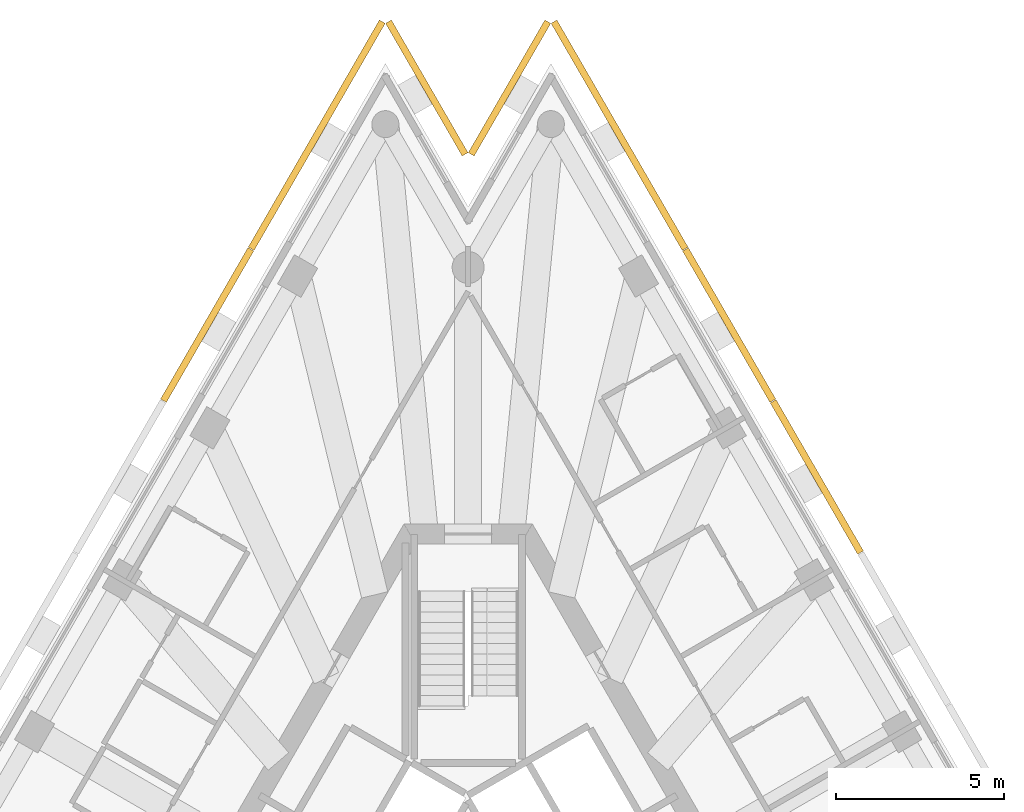
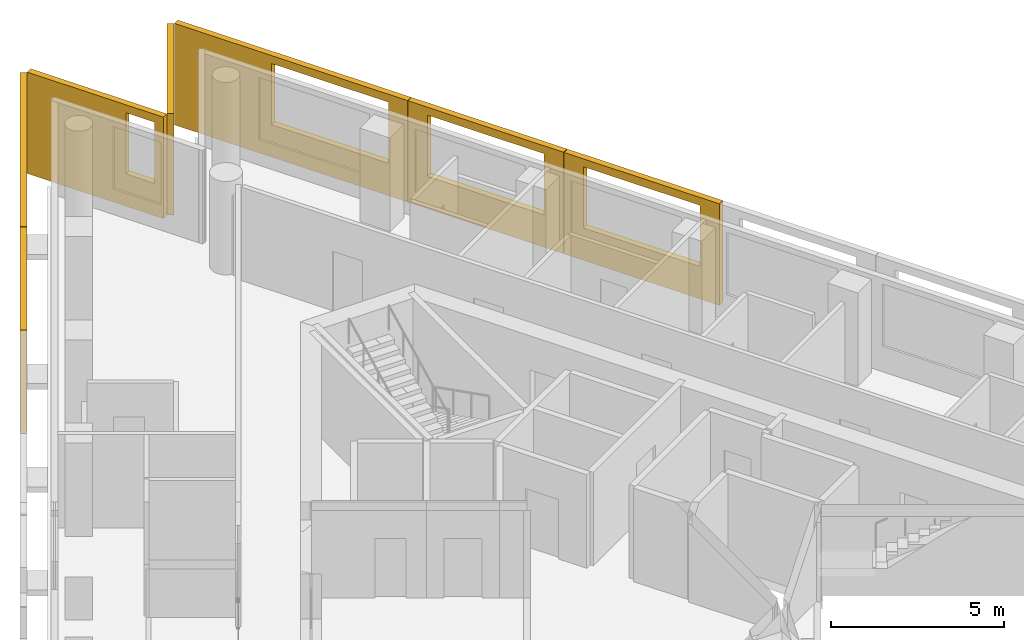
# One storey, part 10 of 10: 7 shading devices.
"""IFC4 building model written with IfcOpenShell, lengths in metres."""

from ifc_helpers import new_model, si_unit, direction, frame, origin, place, context, subcontext, project, spatial, polyline, outline, extrude, material, layer, layer_set, type_object, element, save


model = new_model("IFC4")

# Units and contexts
model_context = context("Model", 3, precision=1e-05, world=origin(), true_north=direction((0.0, 1.0)))
body_context = subcontext(model_context, "Body", "Model", "MODEL_VIEW")
ifc_project = project(units=[si_unit("LENGTHUNIT", "METRE"), si_unit("AREAUNIT", "SQUARE_METRE"), si_unit("VOLUMEUNIT", "CUBIC_METRE"), si_unit("PLANEANGLEUNIT", "RADIAN"), si_unit("MASSUNIT", "GRAM", prefix="KILO")], contexts=[model_context])

# Site, building, storey
site_placement = place(None, origin())
site = spatial("IfcSite", under=ifc_project, at=site_placement, CompositionType="ELEMENT")
building_placement = place(site_placement, origin())
building = spatial("IfcBuilding", under=site, at=building_placement, Name="Triada Interchange Tower", CompositionType="ELEMENT")
storey_placement = place(building_placement, frame((0.0, 0.0, 311.5)))
storey = spatial("IfcBuildingStorey", under=building, at=storey_placement, Name="L74", CompositionType="ELEMENT", Elevation=311.5)

# Shading devices
ifc_material = material(Name="Concrete C50/60 precast", Category="concrete")
ifc_layer_1 = layer(ifc_material, 0.02001953125, Name="Exposed aggregate face")
ifc_layer_2 = layer(ifc_material, 0.179931640625, Name="Precast concrete screen")
ifc_layer_set = layer_set([ifc_layer_1, ifc_layer_2], Name="Outer skin screen panel 3580")
shading_device_type = type_object("IfcShadingDeviceType", Name="Outer skin screen panel 3580", PredefinedType="SHUTTER", material=ifc_layer_set)
shading_device_1_placement = place(storey_placement, frame((-2.4619140625, 28.4609375, -0.2900390625), z_axis=(0.0, 0.0, 1.0), x_axis=(-0.500058146775, -0.865991830126, 0.0)))
element("IfcShadingDevice", 1, at=shading_device_1_placement, inside=storey, type_object=shading_device_type, Name="Outer skin screen panel L74 01", PredefinedType="SHUTTER", context=body_context, shape_type="SweptSolid", body=[
    extrude(outline(polyline([(0.0, 0.0), (7.78515625, 0.0), (7.78515625, 3.580078125), (0.0, 3.580078125), (0.0, 0.0)]), holes=[polyline([(3.24169921875, 1.139892578125), (3.24169921875, 3.300048828125), (7.1416015625, 3.300048828125), (7.1416015625, 1.139892578125), (3.24169921875, 1.139892578125)])]), frame((0.0, 0.0, 0.0), z_axis=(0.0, -1.0, 0.0), x_axis=(1.0, 0.0, 0.0)), (0.0, 0.0, 1.0), 0.199951171875),
])
shading_device_2_placement = place(storey_placement, frame((-6.364990234375, 21.701904296875, -0.2900390625), z_axis=(0.0, 0.0, 1.0), x_axis=(-0.49985961515, -0.866106439846, 0.0)))
element("IfcShadingDevice", 2, at=shading_device_2_placement, inside=storey, type_object=shading_device_type, Name="Outer skin screen panel L74 02", PredefinedType="SHUTTER", context=body_context, shape_type="SweptSolid", body=[
    extrude(outline(polyline([(0.0, 0.0), (5.1875, 0.0), (5.1875, 3.580078125), (0.0, 3.580078125), (0.0, 0.0)]), holes=[polyline([(0.643310546875, 1.139892578125), (0.643310546875, 3.300048828125), (4.543212890625, 3.300048828125), (4.543212890625, 1.139892578125), (0.643310546875, 1.139892578125)])]), frame((0.0, 0.0, 0.0), z_axis=(0.0, -1.0, 0.0), x_axis=(1.0, 0.0, 0.0)), (0.0, 0.0, 1.0), 0.199951171875),
])
shading_device_3_placement = place(storey_placement, frame((11.56201171875, 12.699951171875, -0.2900390625), z_axis=(0.0, 0.0, 1.0), x_axis=(-0.500082331196, 0.865977864628, 0.0)))
element("IfcShadingDevice", 3, at=shading_device_3_placement, inside=storey, type_object=shading_device_type, Name="Outer skin screen panel L74 26", PredefinedType="SHUTTER", context=body_context, shape_type="SweptSolid", body=[
    extrude(outline(polyline([(0.0, 0.0), (5.187255859375, 0.0), (5.187255859375, 3.580078125), (0.0, 3.580078125), (0.0, 0.0)]), holes=[polyline([(0.643798828125, 1.139892578125), (0.643798828125, 3.300048828125), (4.5439453125, 3.300048828125), (4.5439453125, 1.139892578125), (0.643798828125, 1.139892578125)])]), frame((0.0, 0.0, 0.0), z_axis=(0.0, -1.0, 0.0), x_axis=(1.0, 0.0, 0.0)), (0.0, 0.0, 1.0), 0.199951171875),
])
shading_device_4_placement = place(storey_placement, frame((8.9580078125, 17.208984375, -0.2900390625), z_axis=(0.0, 0.0, 1.0), x_axis=(-0.49985961515, 0.866106439846, 0.0)))
element("IfcShadingDevice", 4, at=shading_device_4_placement, inside=storey, type_object=shading_device_type, Name="Outer skin screen panel L74 27", PredefinedType="SHUTTER", context=body_context, shape_type="SweptSolid", body=[
    extrude(outline(polyline([(0.0, 0.0), (5.1875, 0.0), (5.1875, 3.580078125), (0.0, 3.580078125), (0.0, 0.0)]), holes=[polyline([(0.643798828125, 1.139892578125), (0.643798828125, 3.300048828125), (4.543701171875, 3.300048828125), (4.543701171875, 1.139892578125), (0.643798828125, 1.139892578125)])]), frame((0.0, 0.0, 0.0), z_axis=(0.0, -1.0, 0.0), x_axis=(1.0, 0.0, 0.0)), (0.0, 0.0, 1.0), 0.199951171875),
])
shading_device_5_placement = place(storey_placement, frame((6.35498046875, 21.718994140625, -0.2900390625), z_axis=(0.0, 0.0, 1.0), x_axis=(-0.500058146775, 0.865991830126, 0.0)))
element("IfcShadingDevice", 5, at=shading_device_5_placement, inside=storey, type_object=shading_device_type, Name="Outer skin screen panel L74 28", PredefinedType="SHUTTER", context=body_context, shape_type="SweptSolid", body=[
    extrude(outline(polyline([(0.0, 0.0), (7.78515625, 0.0), (7.78515625, 3.580078125), (0.0, 3.580078125), (0.0, 0.0)]), holes=[polyline([(0.643310546875, 1.139892578125), (0.643310546875, 3.300048828125), (4.54345703125, 3.300048828125), (4.54345703125, 1.139892578125), (0.643310546875, 1.139892578125)])]), frame((0.0, 0.0, 0.0), z_axis=(0.0, -1.0, 0.0), x_axis=(1.0, 0.0, 0.0)), (0.0, 0.0, 1.0), 0.199951171875),
])
shading_device_6_placement = place(storey_placement, frame((2.451904296875, 28.4609375, -0.2900390625), z_axis=(0.0, 0.0, 1.0), x_axis=(-0.500053962254, -0.865994246421, 0.0)))
element("IfcShadingDevice", 6, at=shading_device_6_placement, inside=storey, type_object=shading_device_type, Name="Outer skin screen panel L74 29", PredefinedType="SHUTTER", context=body_context, shape_type="SweptSolid", body=[
    extrude(outline(polyline([(0.0, 0.0), (4.54736328125, 0.0), (4.54736328125, 3.580078125), (0.0, 3.580078125), (0.0, 0.0)]), holes=[polyline([(3.175537109375, 1.139892578125), (3.175537109375, 3.300048828125), (4.247802734375, 3.300048828125), (4.247802734375, 1.139892578125), (3.175537109375, 1.139892578125)])]), frame((0.0, 0.0, 0.0), z_axis=(0.0, -1.0, 0.0), x_axis=(1.0, 0.0, 0.0)), (0.0, 0.0, 1.0), 0.199951171875),
])
shading_device_7_placement = place(storey_placement, frame((-0.177978515625, 24.52294921875, -0.2900390625), z_axis=(0.0, 0.0, 1.0), x_axis=(-0.500053962254, 0.865994246421, 0.0)))
element("IfcShadingDevice", 7, at=shading_device_7_placement, inside=storey, type_object=shading_device_type, Name="Outer skin screen panel L74 30", PredefinedType="SHUTTER", context=body_context, shape_type="SweptSolid", body=[
    extrude(outline(polyline([(0.0, 0.0), (4.54736328125, 0.0), (4.54736328125, 3.580078125), (0.0, 3.580078125), (0.0, 0.0)]), holes=[polyline([(0.300048828125, 1.139892578125), (0.300048828125, 3.300048828125), (1.2578125, 3.300048828125), (1.2578125, 1.139892578125), (0.300048828125, 1.139892578125)])]), frame((0.0, 0.0, 0.0), z_axis=(0.0, -1.0, 0.0), x_axis=(1.0, 0.0, 0.0)), (0.0, 0.0, 1.0), 0.199951171875),
])

save(model, "model.ifc")
